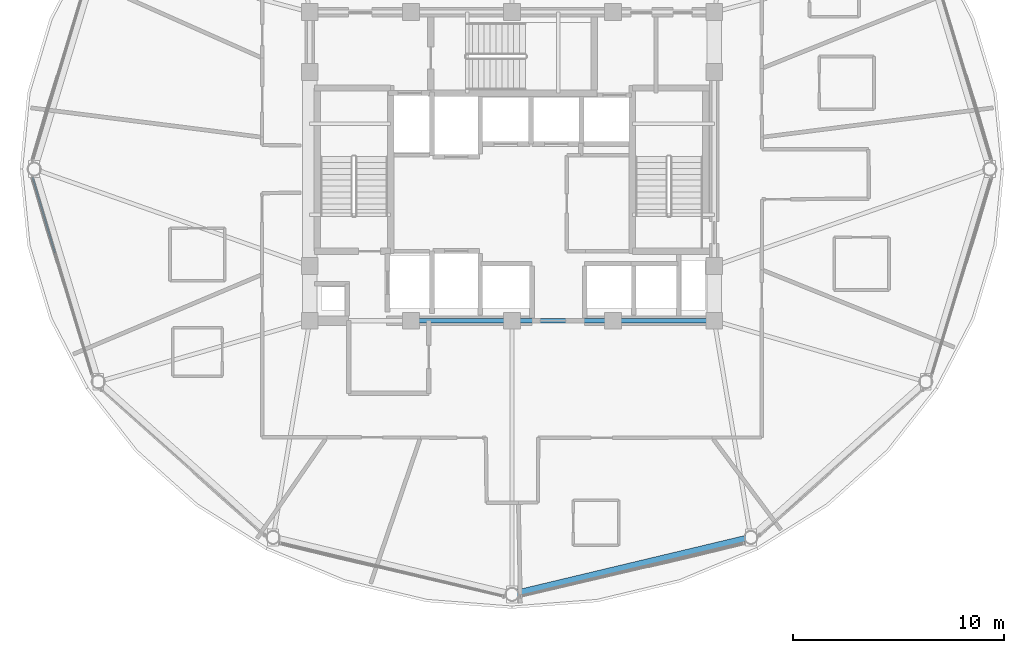
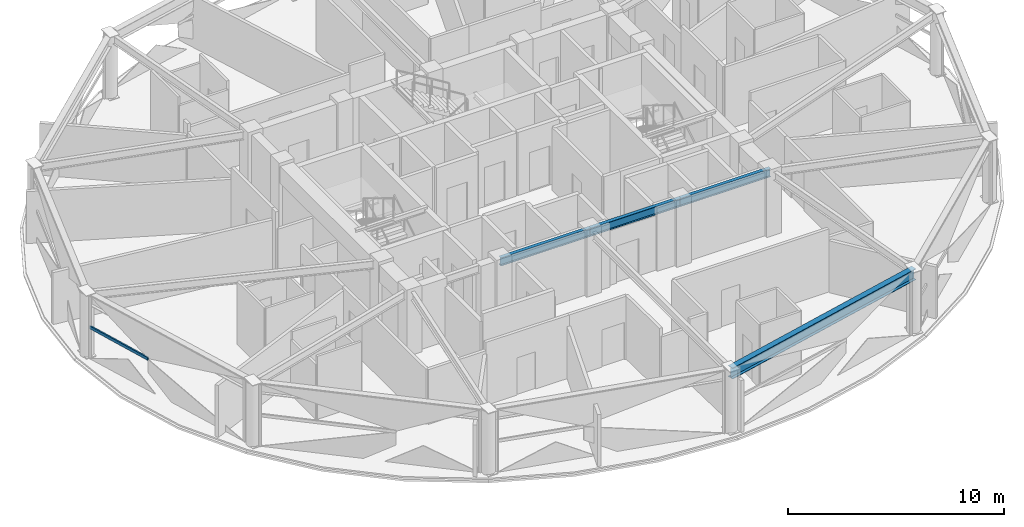
# One storey, part 6 of 30: 4 beams, 1 member, 1 element without a shape of its own.
"""IFC4 building model written with IfcOpenShell, lengths in metres."""

from ifc_helpers import new_model, si_unit, direction, frame, origin, origin_2d, place, context, subcontext, project, spatial, hollow_rectangle, i_section, extrude, material, layer, layer_set, material_profile, profile_set, type_object, element, aggregate, save


model = new_model("IFC4")

# Units and contexts
model_context = context("Model", 3, precision=1e-05, world=origin(), true_north=direction((0.0, 1.0)))
body_context = subcontext(model_context, "Body", "Model", "MODEL_VIEW")
ifc_project = project(units=[si_unit("LENGTHUNIT", "METRE"), si_unit("AREAUNIT", "SQUARE_METRE"), si_unit("VOLUMEUNIT", "CUBIC_METRE"), si_unit("PLANEANGLEUNIT", "RADIAN"), si_unit("MASSUNIT", "GRAM", prefix="KILO")], contexts=[model_context])

# Site, building, storey
site_placement = place(None, origin())
site = spatial("IfcSite", under=ifc_project, at=site_placement, CompositionType="ELEMENT")
building_placement = place(site_placement, origin())
building = spatial("IfcBuilding", under=site, at=building_placement, Name="Vantalir Tower", CompositionType="ELEMENT")
storey_placement = place(building_placement, frame((0.0, 0.0, 193.64990234375)))
storey = spatial("IfcBuildingStorey", under=building, at=storey_placement, Name="L48", CompositionType="ELEMENT", Elevation=193.64990234375)

# Beams
ifc_material_1 = material(Name="Steel S355", Category="steel")
ifc_material_profile_1 = material_profile(ifc_material_1, i_section(OverallWidth=0.19189453125, OverallDepth=0.462890625, WebThickness=0.010498046875, FlangeThickness=0.017578125, at=origin_2d()), Name="Steel S355")
ifc_profile_set_1 = profile_set([ifc_material_profile_1], Name="Steel S355")
beam_type_1 = type_object("IfcBeamType", Name="BM-RB-457x191", PredefinedType="BEAM", material=ifc_profile_set_1)
for number, where, z_axis, x_axis, name in (
    (1, (26.699951171875, 17.800048828125, 3.338134765625), (1.0, 0.0, 0.0), (0.0, 1.0, 0.0), "L48 Core Coupling Girder 02"),
    (2, (31.5, 17.800048828125, 3.338134765625), (1.0, 0.0, 0.0), (0.0, 1.0, 0.0), "L48 Core Coupling Girder 03"),
    (3, (36.300048828125, 17.800048828125, 3.338134765625), (1.0, 0.0, 0.0), (0.0, 1.0, 0.0), "L48 Core Coupling Girder 04"),
):
    element("IfcBeam", number, at=place(storey_placement, frame(where, z_axis=z_axis, x_axis=x_axis)), inside=storey, type_object=beam_type_1, Name=name, PredefinedType="BEAM", context=body_context, shape_type="SweptSolid", body=[
        extrude(i_section(OverallWidth=0.19189453125, OverallDepth=0.462890625, WebThickness=0.010498046875, FlangeThickness=0.017578125, at=origin_2d()), origin(), (0.0, 0.0, 1.0), 4.800048828125),
    ])
ifc_material_2 = material(Name="Steel S460", Category="steel")
ifc_material_profile_2 = material_profile(ifc_material_2, i_section(OverallWidth=0.306884765625, OverallDepth=0.6201171875, WebThickness=0.01416015625, FlangeThickness=0.023681640625, at=origin_2d()), Name="Steel S460")
ifc_profile_set_2 = profile_set([ifc_material_profile_2], Name="Steel S460")
beam_type_2 = type_object("IfcBeamType", Name="BM-RG-610x305", PredefinedType="USERDEFINED", material=ifc_profile_set_2)
beam_placement = place(storey_placement, frame((31.5, 4.81201171875, 3.260009765625), z_axis=(0.972698236559, 0.232073567206, 0.0), x_axis=(-0.232073567206, 0.972698236559, 0.0)))
element("IfcBeam", 4, at=beam_placement, inside=storey, type_object=beam_type_2, Name="L48 Circumferential Ring Girder 10", ObjectType="GIRDER", PredefinedType="USERDEFINED", context=body_context, shape_type="SweptSolid", body=[
    extrude(i_section(OverallWidth=0.306884765625, OverallDepth=0.6201171875, WebThickness=0.01416015625, FlangeThickness=0.023681640625, at=origin_2d()), origin(), (0.0, 0.0, 1.0), 11.656005859375),
])

# Curtain wall, member
ifc_material_3 = material(Name="Champagne-silver PVDF aluminium and double-silver Low-E glass", Category="aluminium")
ifc_layer = layer(ifc_material_3, 0.2099609375)
ifc_layer_set = layer_set([ifc_layer], Name="Champagne-silver PVDF aluminium and double-silver Low-E glass")
curtain_wall_type = type_object("IfcCurtainWallType", Name="CW-DIAMOND-Z3", PredefinedType="USERDEFINED", material=ifc_layer_set)
curtain_wall_placement = place(storey_placement, origin())
curtain_wall = element("IfcCurtainWall", 5, at=curtain_wall_placement, inside=storey, type_object=curtain_wall_type, Name="L48 Quilted Pyramid-Diamond Curtain Wall S07", ObjectType="UNITISED CURTAIN WALL", PredefinedType="USERDEFINED")
ifc_material_4 = material(Name="Champagne-silver PVDF aluminium 6063-T6", Category="aluminium")
ifc_material_profile_3 = material_profile(ifc_material_4, hollow_rectangle(XDim=0.074951171875, YDim=0.159912109375, WallThickness=0.00390625, at=origin_2d()), Name="Champagne-silver PVDF aluminium 6063-T6")
ifc_profile_set_3 = profile_set([ifc_material_profile_3], Name="Champagne-silver PVDF aluminium 6063-T6")
member_type = type_object("IfcMemberType", Name="CWT-160x75", PredefinedType="USERDEFINED", material=ifc_profile_set_3)
member_placement = place(storey_placement, frame((8.751953125, 24.60693359375, 1.78515625), z_axis=(0.281918134327, -0.959438463653, 0.0), x_axis=(0.959438463653, 0.281918134327, 0.0)))
member = element("IfcMember", 6, at=member_placement, type_object=member_type, Name="CW-L48-S07 Pyramid Fold Ridge Transom", ObjectType="TRANSOM", PredefinedType="USERDEFINED", context=body_context, shape_type="SweptSolid", body=[
    extrude(hollow_rectangle(XDim=0.074951171875, YDim=0.159912109375, WallThickness=0.00390625, at=origin_2d()), origin(), (0.0, 0.0, 1.0), 3.72802734375),
])
aggregate(curtain_wall, [member])

save(model, "model.ifc")
